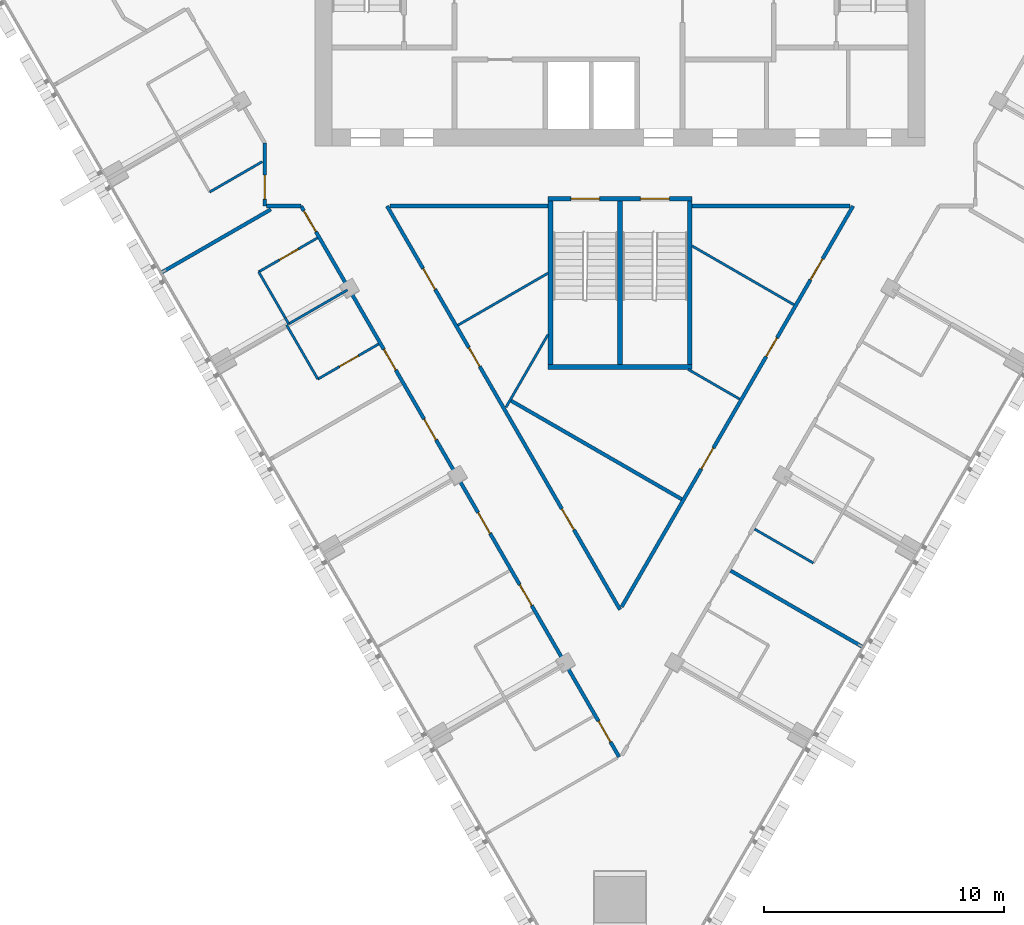
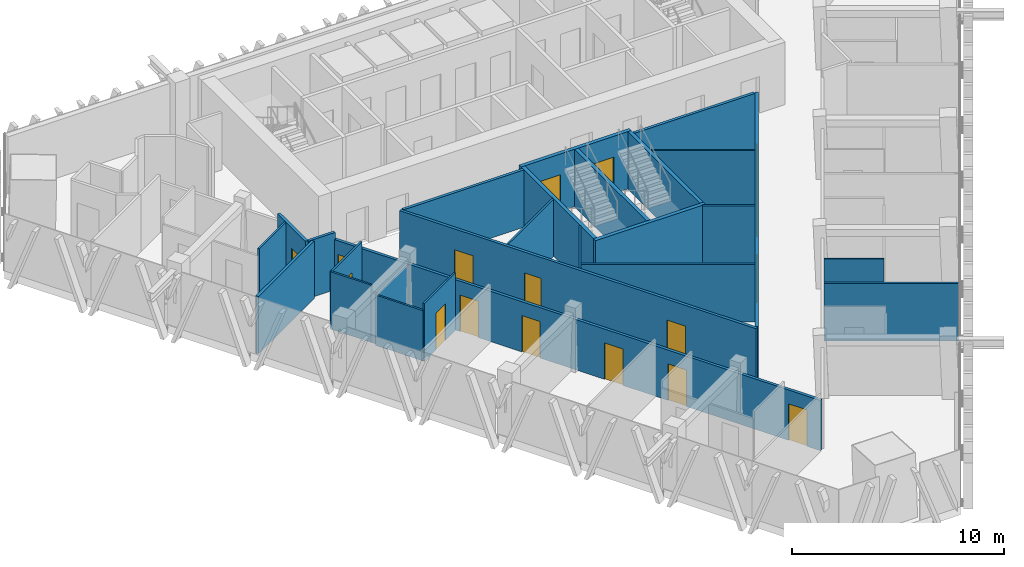
# One storey, part 8 of 15: 27 walls, 17 doors, 17 openings.
"""IFC4 building model written with IfcOpenShell, lengths in metres."""

import ifcopenshell
import ifcopenshell.guid

model = None  # the IFC model being written
_history = None  # IfcOwnerHistory: only IFC2X3 demands one
_inside = {}  # id of a spatial element -> (the spatial element, [elements in it])
_under = {}  # id of a project, library or spatial element -> (it, [spatial elements below it])
_declared = {}  # id of a project -> (the project, [libraries it declares])
_typed = {}  # id of a type object -> (the type object, [elements of that type])
_made_of = {}  # id of a material, layer set ... -> (it, [elements and type objects made of it])


def new_model(schema):
    """Start an empty IFC model of exactly this schema.

    Asked for "IFC4X3", IfcOpenShell would pick the latest addendum, in which some entities
    have other attributes; the version numbers below select the first issue.
    IFC2X3 requires an IfcOwnerHistory on every rooted entity: one is made here for all.
    """
    global model, _history
    if schema == "IFC4X3":
        model = ifcopenshell.file(schema_version=(4, 3, 0, 0))
    else:
        model = ifcopenshell.file(schema=schema)
    _inside.clear()
    _under.clear()
    _declared.clear()
    _typed.clear()
    _made_of.clear()
    _history = None
    if model.schema == "IFC2X3":
        org = make("IfcOrganization", Name="unknown")
        user = make(
            "IfcPersonAndOrganization",
            ThePerson=make("IfcPerson", FamilyName="unknown"),
            TheOrganization=org,
        )
        app = make(
            "IfcApplication",
            ApplicationDeveloper=org,
            Version="unknown",
            ApplicationFullName="unknown",
            ApplicationIdentifier="unknown",
        )
        _history = make(
            "IfcOwnerHistory",
            OwningUser=user,
            OwningApplication=app,
            ChangeAction="ADDED",
            CreationDate=0,
        )
    return model


def make(cls, **values):
    """One entity of the class cls with the attributes given. An attribute that is None is left unset."""
    return model.create_entity(
        cls, **{name: value for name, value in values.items() if value is not None}
    )


def rooted(cls, **values):
    """An entity with a GlobalId (a new one), such as an element, a storey or a relation."""
    return make(cls, GlobalId=ifcopenshell.guid.new(), OwnerHistory=_history, **values)


def si_unit(unit_type, name, prefix=None):
    """IfcSIUnit, for example si_unit("LENGTHUNIT", "METRE", prefix="MILLI")."""
    return make("IfcSIUnit", UnitType=unit_type, Prefix=prefix, Name=name)


def assignment(units):
    """IfcUnitAssignment: the units of a project."""
    return None if units is None else make("IfcUnitAssignment", Units=units)


def point(xyz):
    """IfcCartesianPoint."""
    return None if xyz is None else make("IfcCartesianPoint", Coordinates=xyz)


def direction(xyz):
    """IfcDirection."""
    return None if xyz is None else make("IfcDirection", DirectionRatios=xyz)


def frame(location, z_axis=None, x_axis=None):
    """IfcAxis2Placement3D, a coordinate frame: its origin and axes. An axis left out is left unset."""
    return make(
        "IfcAxis2Placement3D",
        Location=point(location),
        Axis=direction(z_axis),
        RefDirection=direction(x_axis),
    )


def frame_2d(location, x_axis=None):
    """IfcAxis2Placement2D, a coordinate frame in the plane: its origin and x axis."""
    return make(
        "IfcAxis2Placement2D", Location=point(location), RefDirection=direction(x_axis)
    )


def origin():
    """The frame at (0, 0, 0) with its axes left unset."""
    return frame((0.0, 0.0, 0.0))


def place(relative_to, where):
    """IfcLocalPlacement: puts the frame where relative to a parent placement (None: the world)."""
    return make(
        "IfcLocalPlacement", PlacementRelTo=relative_to, RelativePlacement=where
    )


def context(
    kind, dimensions, precision=None, world=None, true_north=None, identifier=None
):
    """IfcGeometricRepresentationContext, for example the 3D "Model" context."""
    return make(
        "IfcGeometricRepresentationContext",
        ContextIdentifier=identifier,
        ContextType=kind,
        CoordinateSpaceDimension=dimensions,
        Precision=precision,
        WorldCoordinateSystem=world,
        TrueNorth=true_north,
    )


def subcontext(parent, identifier, kind, view, scale=None):
    """IfcGeometricRepresentationSubContext, for example "Body" below "Model"."""
    return make(
        "IfcGeometricRepresentationSubContext",
        ContextIdentifier=identifier,
        ContextType=kind,
        ParentContext=parent,
        TargetScale=scale,
        TargetView=view,
    )


def project(units=None, contexts=None):
    """IfcProject with its units and contexts."""
    return rooted(
        "IfcProject",
        Name="project",
        RepresentationContexts=contexts,
        UnitsInContext=assignment(units),
    )


def spatial(cls, under=None, at=None, **own):
    """A site, building, storey or space (cls), placed at a placement, below another one or the project."""
    s = rooted(cls, ObjectPlacement=at, **own)
    if under is not None:
        _under.setdefault(under.id(), (under, []))[1].append(s)
    return s


def profile(cls, at=None, kind="AREA", **sizes):
    """A parametric profile (cls). Its sizes go by their IFC names, for example OverallWidth=200.0."""
    return make(cls, ProfileType=kind, Position=at, **sizes)


def rectangle(**sizes):
    """IfcRectangleProfileDef."""
    return profile("IfcRectangleProfileDef", **sizes)


def extrude(swept, where, along, depth):
    """IfcExtrudedAreaSolid: the profile swept, set in the frame where, extruded along a direction by depth."""
    return make(
        "IfcExtrudedAreaSolid",
        SweptArea=swept,
        Position=where,
        ExtrudedDirection=direction(along),
        Depth=depth,
    )


def shape(context_of_items, identifier, shape_type, items):
    """IfcShapeRepresentation: the items that make up one representation, for example the "Body"."""
    return make(
        "IfcShapeRepresentation",
        ContextOfItems=context_of_items,
        RepresentationIdentifier=identifier,
        RepresentationType=shape_type,
        Items=items,
    )


def material(Name=None, Category=None):
    """IfcMaterial."""
    return make("IfcMaterial", Name=Name, Category=Category)


def layer(
    of_material, thickness, ventilated=None, Name=None, Category=None, Priority=None
):
    """IfcMaterialLayer: one layer of a wall or slab, of a material (None: an air gap)."""
    return make(
        "IfcMaterialLayer",
        Material=of_material,
        LayerThickness=thickness,
        IsVentilated=ventilated,
        Name=Name,
        Category=Category,
        Priority=Priority,
    )


def layer_set(layers, Name=None):
    """IfcMaterialLayerSet."""
    return make("IfcMaterialLayerSet", MaterialLayers=layers, LayerSetName=Name)


def made_of(thing, what):
    """Note that an element or type object is made of a material, layer set ...; save() writes the relation."""
    if what is not None:
        _made_of.setdefault(what.id(), (what, []))[1].append(thing)
    return thing


def type_object(cls, material=None, **own):
    """A type object (cls), such as IfcWallType, which elements share."""
    return made_of(rooted(cls, **own), material)


def element(
    cls,
    number,
    at=None,
    inside=None,
    cuts=None,
    type_object=None,
    material=None,
    context=None,
    identifier="Body",
    shape_type=None,
    held_by="IfcProductDefinitionShape",
    body=None,
    shapes=None,
    **own,
):
    """One element of the class cls, such as IfcWall. Its Tag is "e" and its number.

    at: its placement. inside: the storey or other place that contains it. cuts: it is an
    opening in that element (IfcRelVoidsElement). A single representation is given by context,
    identifier, shape_type and body (its items); several are given by shapes. held_by: the class
    of the entity that holds the representations. save() writes the other relations.
    """
    e = rooted(cls, Tag="e%d" % number, ObjectPlacement=at, **own)
    if body is not None:
        shapes = [shape(context, identifier, shape_type, body)]
    if shapes is not None:
        e.Representation = make(held_by, Representations=shapes)
    if inside is not None:
        _inside.setdefault(inside.id(), (inside, []))[1].append(e)
    if cuts is not None:
        rooted(
            "IfcRelVoidsElement", RelatingBuildingElement=cuts, RelatedOpeningElement=e
        )
    if type_object is not None:
        _typed.setdefault(type_object.id(), (type_object, []))[1].append(e)
    return made_of(e, material)


def fill(opening, filler):
    """IfcRelFillsElement: the door or window that sits in an opening."""
    return rooted(
        "IfcRelFillsElement",
        RelatingOpeningElement=opening,
        RelatedBuildingElement=filler,
    )


def aggregate(whole, parts):
    """IfcRelAggregates: a whole, such as a stair, and the parts it consists of."""
    return rooted("IfcRelAggregates", RelatingObject=whole, RelatedObjects=parts)


def save(model, path):
    """Write the relations noted so far, then the file.

    IfcRelAggregates (storeys below a building ...), IfcRelContainedInSpatialStructure (elements
    in a storey), IfcRelDefinesByType, IfcRelAssociatesMaterial and IfcRelDeclares: one each for
    every whole, place, type object, material and project.
    """
    for whole, parts in _under.values():
        aggregate(whole, parts)
    for where, things in _inside.values():
        rooted(
            "IfcRelContainedInSpatialStructure",
            RelatedElements=things,
            RelatingStructure=where,
        )
    for kind, things in _typed.values():
        rooted("IfcRelDefinesByType", RelatedObjects=things, RelatingType=kind)
    for what, things in _made_of.values():
        rooted("IfcRelAssociatesMaterial", RelatedObjects=things, RelatingMaterial=what)
    for by, libraries in _declared.values():
        rooted("IfcRelDeclares", RelatingContext=by, RelatedDefinitions=libraries)
    model.write(path)


model = new_model("IFC4")

# Units and contexts
model_context = context("Model", 3, precision=1e-05, world=origin(), true_north=direction((0.0, 1.0)))
body_context = subcontext(model_context, "Body", "Model", "MODEL_VIEW")
ifc_project = project(units=[si_unit("LENGTHUNIT", "METRE"), si_unit("AREAUNIT", "SQUARE_METRE"), si_unit("VOLUMEUNIT", "CUBIC_METRE"), si_unit("PLANEANGLEUNIT", "RADIAN"), si_unit("MASSUNIT", "GRAM", prefix="KILO")], contexts=[model_context])

# Site, building, storey
site_placement = place(None, origin())
site = spatial("IfcSite", under=ifc_project, at=site_placement, CompositionType="ELEMENT")
building_placement = place(site_placement, origin())
building = spatial("IfcBuilding", under=site, at=building_placement, Name="Altiplano Prism Tower", CompositionType="ELEMENT")
storey_placement = place(building_placement, frame((0.0, 0.0, 185.39990234375)))
storey = spatial("IfcBuildingStorey", under=building, at=storey_placement, Name="L48", CompositionType="ELEMENT", Elevation=185.39990234375)

# Walls
ifc_material_1 = material(Name="Plasterboard on steel stud", Category="steel")
ifc_layer_1 = layer(ifc_material_1, 0.10009765625)
ifc_layer_set_1 = layer_set([ifc_layer_1], Name="Plasterboard on steel stud")
wall_type_1 = type_object("IfcWallType", Name="Partition 100 unit", PredefinedType="PARTITIONING", material=ifc_layer_set_1)
wall_1_placement = place(storey_placement, frame((70.10009765625, 92.0478515625, 0.0), z_axis=(0.0, 0.0, 1.0), x_axis=(-0.866008413041, -0.500029427677, 0.0)))
element("IfcWall", 1, at=wall_1_placement, inside=storey, type_object=wall_type_1, Name="Partition P02 L48 043", PredefinedType="PARTITIONING", context=body_context, shape_type="SweptSolid", body=[
    extrude(rectangle(XDim=2.524169921875, YDim=0.10009765625, at=frame_2d((1.26220703125, 0.0))), origin(), (0.0, 0.0, 1.0), 3.300048828125),
])
wall_2_placement = place(storey_placement, frame((71.20068359375, 85.293212890625, 0.0), z_axis=(0.0, 0.0, 1.0), x_axis=(-0.499816412211, 0.866131372301, 0.0)))
element("IfcWall", 2, at=wall_2_placement, inside=storey, type_object=wall_type_1, Name="Partition P02 L48 045", PredefinedType="PARTITIONING", context=body_context, shape_type="SweptSolid", body=[
    extrude(rectangle(XDim=0.2998046875, YDim=0.10009765625, at=frame_2d((0.14990234375, 0.0))), origin(), (0.0, 0.0, 1.0), 2.900146484375),
])
wall_3_placement = place(storey_placement, frame((71.05078125, 85.552978515625, 0.0), z_axis=(0.0, 0.0, 1.0), x_axis=(-0.50002983664, 0.866008176907, 0.0)))
element("IfcWall", 3, at=wall_3_placement, inside=storey, type_object=wall_type_1, Name="Partition P02 L48 046", PredefinedType="PARTITIONING", context=body_context, shape_type="SweptSolid", body=[
    extrude(rectangle(XDim=2.199951171875, YDim=0.10009765625, at=frame_2d((1.10009765625, 0.0))), origin(), (0.0, 0.0, 1.0), 3.300048828125),
])

# Wall, opening, door
wall_4_placement = place(storey_placement, frame((69.95068359375, 87.458251953125, 0.0), z_axis=(0.0, 0.0, 1.0), x_axis=(0.866048868473, 0.499959355765, 0.0)))
wall_4 = element("IfcWall", 4, at=wall_4_placement, inside=storey, type_object=wall_type_1, Name="Partition P02 L48 047", PredefinedType="PARTITIONING", context=body_context, shape_type="SweptSolid", body=[
    extrude(rectangle(XDim=2.824951171875, YDim=0.10009765625, at=frame_2d((1.41259765625, 0.0))), origin(), (0.0, 0.0, 1.0), 3.300048828125),
])
opening_1_placement = place(wall_4_placement, frame((1.0, 0.0, 0.0)))
opening_1 = element("IfcOpeningElement", 5, at=opening_1_placement, cuts=wall_4, Name="Opening D1698", PredefinedType="OPENING", context=body_context, shape_type="SweptSolid", body=[
    extrude(rectangle(XDim=0.89990234375, YDim=2.10009765625, at=frame_2d((0.449951171875, 1.050048828125))), frame((0.0, 0.060546875, 0.0), z_axis=(0.0, -1.0, 0.0), x_axis=(1.0, 0.0, 0.0)), (0.0, 0.0, 1.0), 0.12109375),
])
ifc_material_2 = material(Name="Timber", Category="wood")
door_type_1 = type_object("IfcDoorType", Name="Ensuite door 900 x 2100", OperationType="NOTDEFINED", PredefinedType="NOTDEFINED", material=ifc_material_2)
door_1_placement = place(opening_1_placement, origin())
door_1 = element("IfcDoor", 6, at=door_1_placement, inside=storey, type_object=door_type_1, Name="Door D1698", OperationType="SINGLE_SWING_LEFT", OverallHeight=2.10009765625, OverallWidth=0.89990234375, PredefinedType="NOTDEFINED", context=body_context, shape_type="SweptSolid", body=[
    extrude(rectangle(XDim=0.89990234375, YDim=2.10009765625, at=frame_2d((0.449951171875, 1.050048828125))), frame((0.0, 0.02490234375, 0.0), z_axis=(0.0, -1.0, 0.0), x_axis=(1.0, 0.0, 0.0)), (0.0, 0.0, 1.0), 0.050048828125),
])
fill(opening_1, door_1)

wall_5_placement = place(storey_placement, frame((74.947265625, 84.4541015625, 0.0), z_axis=(0.0, 0.0, 1.0), x_axis=(-0.86601045545, -0.500025890382, 0.0)))
wall_5 = element("IfcWall", 7, at=wall_5_placement, inside=storey, type_object=wall_type_1, Name="Partition P02 L48 050", PredefinedType="PARTITIONING", context=body_context, shape_type="SweptSolid", body=[
    extrude(rectangle(XDim=2.925048828125, YDim=0.10009765625, at=frame_2d((1.46240234375, 0.0))), origin(), (0.0, 0.0, 1.0), 3.300048828125),
])
opening_2_placement = place(wall_5_placement, frame((0.97509765625, 0.0, 0.0)))
opening_2 = element("IfcOpeningElement", 8, at=opening_2_placement, cuts=wall_5, Name="Opening D1700", PredefinedType="OPENING", context=body_context, shape_type="SweptSolid", body=[
    extrude(rectangle(XDim=0.89990234375, YDim=2.10009765625, at=frame_2d((0.449951171875, 1.050048828125))), frame((0.0, 0.060546875, 0.0), z_axis=(0.0, -1.0, 0.0), x_axis=(1.0, 0.0, 0.0)), (0.0, 0.0, 1.0), 0.12109375),
])
door_2_placement = place(opening_2_placement, origin())
door_2 = element("IfcDoor", 9, at=door_2_placement, inside=storey, type_object=door_type_1, Name="Door D1700", OperationType="SINGLE_SWING_RIGHT", OverallHeight=2.10009765625, OverallWidth=0.89990234375, PredefinedType="NOTDEFINED", context=body_context, shape_type="SweptSolid", body=[
    extrude(rectangle(XDim=0.89990234375, YDim=2.10009765625, at=frame_2d((0.449951171875, 1.050048828125))), frame((0.0, 0.02490234375, 0.0), z_axis=(0.0, -1.0, 0.0), x_axis=(1.0, 0.0, 0.0)), (0.0, 0.0, 1.0), 0.050048828125),
])
fill(opening_2, door_2)

# Walls
wall_6_placement = place(storey_placement, frame((72.4140625, 82.991455078125, 0.0), z_axis=(0.0, 0.0, 1.0), x_axis=(-0.500006934395, 0.866021400173, 0.0)))
element("IfcWall", 10, at=wall_6_placement, inside=storey, type_object=wall_type_1, Name="Partition P02 L48 051", PredefinedType="PARTITIONING", context=body_context, shape_type="SweptSolid", body=[
    extrude(rectangle(XDim=2.60009765625, YDim=0.10009765625, at=frame_2d((1.300048828125, 0.0))), origin(), (0.0, 0.0, 1.0), 2.900146484375),
])
wall_7_placement = place(storey_placement, frame((93.04931640625, 75.333740234375, 0.0), z_axis=(0.0, 0.0, 1.0), x_axis=(-0.866011447264, 0.500024172624, 0.0)))
element("IfcWall", 11, at=wall_7_placement, inside=storey, type_object=wall_type_1, Name="Partition P02 L48 065", PredefinedType="PARTITIONING", context=body_context, shape_type="SweptSolid", body=[
    extrude(rectangle(XDim=2.824951171875, YDim=0.10009765625, at=frame_2d((1.41259765625, 0.0))), origin(), (0.0, 0.0, 1.0), 3.300048828125),
])
ifc_layer_2 = layer(ifc_material_1, 0.10009765625)
ifc_layer_set_2 = layer_set([ifc_layer_2], Name="Plasterboard on steel stud")
wall_type_2 = type_object("IfcWallType", Name="Partition 100 wet", PredefinedType="PARTITIONING", material=ifc_layer_set_2)
wall_8_placement = place(storey_placement, frame((82.0, 87.404052734375, 0.0), z_axis=(0.0, 0.0, 1.0), x_axis=(-0.866022320763, -0.500005339912, 0.0)))
element("IfcWall", 12, at=wall_8_placement, inside=storey, type_object=wall_type_2, Name="Partition P03 L48 033", PredefinedType="PARTITIONING", context=body_context, shape_type="SweptSolid", body=[
    extrude(rectangle(XDim=4.3330078125, YDim=0.10009765625, at=frame_2d((2.16650390625, 0.0))), origin(), (0.0, 0.0, 1.0), 3.300048828125),
])
wall_9_placement = place(storey_placement, frame((80.250244140625, 81.819091796875, 0.0), z_axis=(0.0, 0.0, 1.0), x_axis=(0.499988162555, 0.866032238029, 0.0)))
element("IfcWall", 13, at=wall_9_placement, inside=storey, type_object=wall_type_2, Name="Partition P03 L48 034", PredefinedType="PARTITIONING", context=body_context, shape_type="SweptSolid", body=[
    extrude(rectangle(XDim=3.49951171875, YDim=0.10009765625, at=frame_2d((1.749755859375, 0.0))), origin(), (0.0, 0.0, 1.0), 3.300048828125),
])
wall_10_placement = place(storey_placement, frame((92.24365234375, 86.088623046875, 0.0), z_axis=(0.0, 0.0, 1.0), x_axis=(-0.866036242063, 0.49998122708, 0.0)))
element("IfcWall", 14, at=wall_10_placement, inside=storey, type_object=wall_type_2, Name="Partition P03 L48 035", PredefinedType="PARTITIONING", context=body_context, shape_type="SweptSolid", body=[
    extrude(rectangle(XDim=4.900146484375, YDim=0.10009765625, at=frame_2d((2.4501953125, 0.0))), origin(), (0.0, 0.0, 1.0), 3.300048828125),
])
wall_11_placement = place(storey_placement, frame((87.832275390625, 83.39990234375, 0.0), z_axis=(0.0, 0.0, 1.0), x_axis=(0.866019742871, -0.500009804862, 0.0)))
element("IfcWall", 15, at=wall_11_placement, inside=storey, type_object=wall_type_2, Name="Partition P03 L48 036", PredefinedType="PARTITIONING", context=body_context, shape_type="SweptSolid", body=[
    extrude(rectangle(XDim=2.47607421875, YDim=0.10009765625, at=frame_2d((1.238037109375, 0.0))), origin(), (0.0, 0.0, 1.0), 3.300048828125),
])
wall_12_placement = place(storey_placement, frame((71.183349609375, 85.283203125, 0.0), z_axis=(0.0, 0.0, 1.0), x_axis=(0.866048401274, 0.499960165064, 0.0)))
element("IfcWall", 16, at=wall_12_placement, inside=storey, type_object=wall_type_2, Name="Partition P03 L48 049", PredefinedType="PARTITIONING", context=body_context, shape_type="SweptSolid", body=[
    extrude(rectangle(XDim=2.844970703125, YDim=0.10009765625, at=frame_2d((1.42236328125, 0.0))), origin(), (0.0, 0.0, 1.0), 2.900146484375),
])
ifc_layer_3 = layer(ifc_material_1, 0.14990234375)
ifc_layer_set_3 = layer_set([ifc_layer_3], Name="Plasterboard on steel stud")
wall_type_3 = type_object("IfcWallType", Name="Partition 150 corridor", PredefinedType="PARTITIONING", material=ifc_layer_set_3)
wall_13_placement = place(storey_placement, frame((88.0, 90.199951171875, 0.0), z_axis=(0.0, 0.0, 1.0), x_axis=(1.0, 0.0, 0.0)))
element("IfcWall", 17, at=wall_13_placement, inside=storey, type_object=wall_type_3, Name="Partition P06 L48 001", PredefinedType="PARTITIONING", context=body_context, shape_type="SweptSolid", body=[
    extrude(rectangle(XDim=6.57421875, YDim=0.14990234375, at=frame_2d((3.287109375, 0.0))), origin(), (0.0, 0.0, 1.0), 3.300048828125),
])

# Wall, openings, doors
wall_14_placement = place(storey_placement, frame((85.0, 73.39208984375, 0.0), z_axis=(0.0, 0.0, 1.0), x_axis=(-0.500003025806, 0.866023656828, 0.0)))
wall_14 = element("IfcWall", 18, at=wall_14_placement, inside=storey, type_object=wall_type_3, Name="Partition P06 L48 002", PredefinedType="PARTITIONING", context=body_context, shape_type="SweptSolid", body=[
    extrude(rectangle(XDim=19.408203125, YDim=0.14990234375, at=frame_2d((9.7041015625, 0.0))), origin(), (0.0, 0.0, 1.0), 3.300048828125),
])
opening_3_placement = place(wall_14_placement, frame((11.693115234375, 0.0, 0.0)))
opening_3 = element("IfcOpeningElement", 19, at=opening_3_placement, cuts=wall_14, Name="Opening D1687", PredefinedType="OPENING", context=body_context, shape_type="SweptSolid", body=[
    extrude(rectangle(XDim=0.89990234375, YDim=2.10009765625, at=frame_2d((0.449951171875, 1.050048828125))), frame((0.0, 0.08544921875, 0.0), z_axis=(0.0, -1.0, 0.0), x_axis=(1.0, 0.0, 0.0)), (0.0, 0.0, 1.0), 0.1708984375),
])
opening_4_placement = place(wall_14_placement, frame((15.402099609375, 0.0, 0.0)))
opening_4 = element("IfcOpeningElement", 20, at=opening_4_placement, cuts=wall_14, Name="Opening D1690", PredefinedType="OPENING", context=body_context, shape_type="SweptSolid", body=[
    extrude(rectangle(XDim=1.0, YDim=2.10009765625, at=frame_2d((0.5, 1.050048828125))), frame((0.0, 0.08544921875, 0.0), z_axis=(0.0, -1.0, 0.0), x_axis=(1.0, 0.0, 0.0)), (0.0, 0.0, 1.0), 0.1708984375),
])
opening_5_placement = place(wall_14_placement, frame((3.844970703125, 0.0, 0.0)))
opening_5 = element("IfcOpeningElement", 21, at=opening_5_placement, cuts=wall_14, Name="Opening D1691", PredefinedType="OPENING", context=body_context, shape_type="SweptSolid", body=[
    extrude(rectangle(XDim=1.0, YDim=2.10009765625, at=frame_2d((0.5, 1.050048828125))), frame((0.0, 0.08544921875, 0.0), z_axis=(0.0, -1.0, 0.0), x_axis=(1.0, 0.0, 0.0)), (0.0, 0.0, 1.0), 0.1708984375),
])
door_type_2 = type_object("IfcDoorType", Name="Store door 1000 x 2100", OperationType="NOTDEFINED", PredefinedType="NOTDEFINED", material=ifc_material_2)
door_3_placement = place(opening_4_placement, origin())
door_3 = element("IfcDoor", 22, at=door_3_placement, inside=storey, type_object=door_type_2, Name="Door D1690", OperationType="SINGLE_SWING_RIGHT", OverallHeight=2.10009765625, OverallWidth=1.0, PredefinedType="NOTDEFINED", context=body_context, shape_type="SweptSolid", body=[
    extrude(rectangle(XDim=1.0, YDim=2.10009765625, at=frame_2d((0.5, 1.050048828125))), frame((0.0, 0.02490234375, 0.0), z_axis=(0.0, -1.0, 0.0), x_axis=(1.0, 0.0, 0.0)), (0.0, 0.0, 1.0), 0.050048828125),
])
fill(opening_4, door_3)
door_4_placement = place(opening_5_placement, origin())
door_4 = element("IfcDoor", 23, at=door_4_placement, inside=storey, type_object=door_type_2, Name="Door D1691", OperationType="SINGLE_SWING_LEFT", OverallHeight=2.10009765625, OverallWidth=1.0, PredefinedType="NOTDEFINED", context=body_context, shape_type="SweptSolid", body=[
    extrude(rectangle(XDim=1.0, YDim=2.10009765625, at=frame_2d((0.5, 1.050048828125))), frame((0.0, 0.02490234375, 0.0), z_axis=(0.0, -1.0, 0.0), x_axis=(1.0, 0.0, 0.0)), (0.0, 0.0, 1.0), 0.050048828125),
])
fill(opening_5, door_4)
door_type_3 = type_object("IfcDoorType", Name="Toilet door 900 x 2100", OperationType="NOTDEFINED", PredefinedType="NOTDEFINED", material=ifc_material_2)
door_5_placement = place(opening_3_placement, origin())
door_5 = element("IfcDoor", 24, at=door_5_placement, inside=storey, type_object=door_type_3, Name="Door D1687", OperationType="SINGLE_SWING_LEFT", OverallHeight=2.10009765625, OverallWidth=0.89990234375, PredefinedType="NOTDEFINED", context=body_context, shape_type="SweptSolid", body=[
    extrude(rectangle(XDim=0.89990234375, YDim=2.10009765625, at=frame_2d((0.449951171875, 1.050048828125))), frame((0.0, 0.02490234375, 0.0), z_axis=(0.0, -1.0, 0.0), x_axis=(1.0, 0.0, 0.0)), (0.0, 0.0, 1.0), 0.050048828125),
])
fill(opening_3, door_5)

# Wall
wall_15_placement = place(storey_placement, frame((75.42578125, 90.199951171875, 0.0), z_axis=(0.0, 0.0, 1.0), x_axis=(1.0, 0.0, 0.0)))
element("IfcWall", 25, at=wall_15_placement, inside=storey, type_object=wall_type_3, Name="Partition P06 L48 003", PredefinedType="PARTITIONING", context=body_context, shape_type="SweptSolid", body=[
    extrude(rectangle(XDim=6.57421875, YDim=0.14990234375, at=frame_2d((3.287109375, 0.0))), origin(), (0.0, 0.0, 1.0), 3.300048828125),
])

# Wall, openings, doors
wall_16_placement = place(storey_placement, frame((94.7041015625, 90.199951171875, 0.0), z_axis=(0.0, 0.0, 1.0), x_axis=(-0.500004551397, -0.866022776018, 0.0)))
wall_16 = element("IfcWall", 26, at=wall_16_placement, inside=storey, type_object=wall_type_3, Name="Partition P06 L48 004", PredefinedType="PARTITIONING", context=body_context, shape_type="SweptSolid", body=[
    extrude(rectangle(XDim=19.278076171875, YDim=0.14990234375, at=frame_2d((9.63916015625, 0.0))), origin(), (0.0, 0.0, 1.0), 3.300048828125),
])
opening_6_placement = place(wall_16_placement, frame((6.339111328125, 0.0, 0.0)))
opening_6 = element("IfcOpeningElement", 27, at=opening_6_placement, cuts=wall_16, Name="Opening D1688", PredefinedType="OPENING", context=body_context, shape_type="SweptSolid", body=[
    extrude(rectangle(XDim=0.89990234375, YDim=2.10009765625, at=frame_2d((0.449951171875, 1.050048828125))), frame((0.0, 0.08544921875, 0.0), z_axis=(0.0, -1.0, 0.0), x_axis=(1.0, 0.0, 0.0)), (0.0, 0.0, 1.0), 0.1708984375),
])
opening_7_placement = place(wall_16_placement, frame((2.541015625, 0.0, 0.0)))
opening_7 = element("IfcOpeningElement", 28, at=opening_7_placement, cuts=wall_16, Name="Opening D1689", PredefinedType="OPENING", context=body_context, shape_type="SweptSolid", body=[
    extrude(rectangle(XDim=1.0, YDim=2.10009765625, at=frame_2d((0.5, 1.050048828125))), frame((0.0, 0.08544921875, 0.0), z_axis=(0.0, -1.0, 0.0), x_axis=(1.0, 0.0, 0.0)), (0.0, 0.0, 1.0), 0.1708984375),
])
opening_8_placement = place(wall_16_placement, frame((11.639892578125, 0.0, 0.0)))
opening_8 = element("IfcOpeningElement", 29, at=opening_8_placement, cuts=wall_16, Name="Opening D1692", PredefinedType="OPENING", context=body_context, shape_type="SweptSolid", body=[
    extrude(rectangle(XDim=1.0, YDim=2.10009765625, at=frame_2d((0.5, 1.050048828125))), frame((0.0, 0.08544921875, 0.0), z_axis=(0.0, -1.0, 0.0), x_axis=(1.0, 0.0, 0.0)), (0.0, 0.0, 1.0), 0.1708984375),
])
door_6_placement = place(opening_7_placement, origin())
door_6 = element("IfcDoor", 30, at=door_6_placement, inside=storey, type_object=door_type_2, Name="Door D1689", OperationType="SINGLE_SWING_RIGHT", OverallHeight=2.10009765625, OverallWidth=1.0, PredefinedType="NOTDEFINED", context=body_context, shape_type="SweptSolid", body=[
    extrude(rectangle(XDim=1.0, YDim=2.10009765625, at=frame_2d((0.5, 1.050048828125))), frame((0.0, 0.02490234375, 0.0), z_axis=(0.0, -1.0, 0.0), x_axis=(1.0, 0.0, 0.0)), (0.0, 0.0, 1.0), 0.050048828125),
])
fill(opening_7, door_6)
door_7_placement = place(opening_8_placement, origin())
door_7 = element("IfcDoor", 31, at=door_7_placement, inside=storey, type_object=door_type_2, Name="Door D1692", OperationType="SINGLE_SWING_RIGHT", OverallHeight=2.10009765625, OverallWidth=1.0, PredefinedType="NOTDEFINED", context=body_context, shape_type="SweptSolid", body=[
    extrude(rectangle(XDim=1.0, YDim=2.10009765625, at=frame_2d((0.5, 1.050048828125))), frame((0.0, 0.02490234375, 0.0), z_axis=(0.0, -1.0, 0.0), x_axis=(1.0, 0.0, 0.0)), (0.0, 0.0, 1.0), 0.050048828125),
])
fill(opening_8, door_7)
door_8_placement = place(opening_6_placement, origin())
door_8 = element("IfcDoor", 32, at=door_8_placement, inside=storey, type_object=door_type_3, Name="Door D1688", OperationType="SINGLE_SWING_LEFT", OverallHeight=2.10009765625, OverallWidth=0.89990234375, PredefinedType="NOTDEFINED", context=body_context, shape_type="SweptSolid", body=[
    extrude(rectangle(XDim=0.89990234375, YDim=2.10009765625, at=frame_2d((0.449951171875, 1.050048828125))), frame((0.0, 0.02490234375, 0.0), z_axis=(0.0, -1.0, 0.0), x_axis=(1.0, 0.0, 0.0)), (0.0, 0.0, 1.0), 0.050048828125),
])
fill(opening_6, door_8)

# Wall, opening, door
wall_17_placement = place(storey_placement, frame((70.199951171875, 92.826416015625, 0.0), z_axis=(0.0, 0.0, 1.0), x_axis=(0.0, -1.0, 0.0)))
wall_17 = element("IfcWall", 33, at=wall_17_placement, inside=storey, type_object=wall_type_3, Name="Partition P06 L48 007", PredefinedType="PARTITIONING", context=body_context, shape_type="SweptSolid", body=[
    extrude(rectangle(XDim=2.62646484375, YDim=0.14990234375, at=frame_2d((1.313232421875, 0.0))), origin(), (0.0, 0.0, 1.0), 3.300048828125),
])
opening_9_placement = place(wall_17_placement, frame((1.342041015625, 0.0, 0.0)))
opening_9 = element("IfcOpeningElement", 34, at=opening_9_placement, cuts=wall_17, Name="Opening D1695", PredefinedType="OPENING", context=body_context, shape_type="SweptSolid", body=[
    extrude(rectangle(XDim=1.0, YDim=2.10009765625, at=frame_2d((0.5, 1.050048828125))), frame((0.0, 0.08544921875, 0.0), z_axis=(0.0, -1.0, 0.0), x_axis=(1.0, 0.0, 0.0)), (0.0, 0.0, 1.0), 0.1708984375),
])
door_type_4 = type_object("IfcDoorType", Name="Bedroom entrance door 1000 x 2100", OperationType="NOTDEFINED", PredefinedType="NOTDEFINED", material=ifc_material_2)
door_9_placement = place(opening_9_placement, origin())
door_9 = element("IfcDoor", 35, at=door_9_placement, inside=storey, type_object=door_type_4, Name="Door D1695", OperationType="SINGLE_SWING_RIGHT", OverallHeight=2.10009765625, OverallWidth=1.0, PredefinedType="NOTDEFINED", context=body_context, shape_type="SweptSolid", body=[
    extrude(rectangle(XDim=1.0, YDim=2.10009765625, at=frame_2d((0.5, 1.050048828125))), frame((0.0, 0.02490234375, 0.0), z_axis=(0.0, -1.0, 0.0), x_axis=(1.0, 0.0, 0.0)), (0.0, 0.0, 1.0), 0.050048828125),
])
fill(opening_9, door_9)

# Wall
wall_18_placement = place(storey_placement, frame((70.27490234375, 90.199951171875, 0.0), z_axis=(0.0, 0.0, 1.0), x_axis=(1.0, 0.0, 0.0)))
element("IfcWall", 36, at=wall_18_placement, inside=storey, type_object=wall_type_3, Name="Partition P06 L48 008", PredefinedType="PARTITIONING", context=body_context, shape_type="SweptSolid", body=[
    extrude(rectangle(XDim=1.44140625, YDim=0.14990234375, at=frame_2d((0.720703125, 0.0))), origin(), (0.0, 0.0, 1.0), 3.300048828125),
])

# Wall, openings, doors
wall_19_placement = place(storey_placement, frame((71.71630859375, 90.199951171875, 0.0), z_axis=(0.0, 0.0, 1.0), x_axis=(0.500001662319, -0.866024444042, 0.0)))
wall_19 = element("IfcWall", 37, at=wall_19_placement, inside=storey, type_object=wall_type_3, Name="Partition P06 L48 009", PredefinedType="PARTITIONING", context=body_context, shape_type="SweptSolid", body=[
    extrude(rectangle(XDim=26.49169921875, YDim=0.14990234375, at=frame_2d((13.245849609375, 0.0))), origin(), (0.0, 0.0, 1.0), 2.900146484375),
])
opening_10_placement = place(wall_19_placement, frame((0.22998046875, 0.0, 0.0)))
opening_10 = element("IfcOpeningElement", 38, at=opening_10_placement, cuts=wall_19, Name="Opening D1697", PredefinedType="OPENING", context=body_context, shape_type="SweptSolid", body=[
    extrude(rectangle(XDim=1.0, YDim=2.10009765625, at=frame_2d((0.5, 1.050048828125))), frame((0.0, 0.08544921875, 0.0), z_axis=(0.0, -1.0, 0.0), x_axis=(1.0, 0.0, 0.0)), (0.0, 0.0, 1.0), 0.1708984375),
])
opening_11_placement = place(wall_19_placement, frame((6.886962890625, 0.0, 0.0)))
opening_11 = element("IfcOpeningElement", 39, at=opening_11_placement, cuts=wall_19, Name="Opening D1699", PredefinedType="OPENING", context=body_context, shape_type="SweptSolid", body=[
    extrude(rectangle(XDim=1.0, YDim=2.10009765625, at=frame_2d((0.5, 1.050048828125))), frame((0.0, 0.08544921875, 0.0), z_axis=(0.0, -1.0, 0.0), x_axis=(1.0, 0.0, 0.0)), (0.0, 0.0, 1.0), 0.1708984375),
])
opening_12_placement = place(wall_19_placement, frame((10.241943359375, 0.0, 0.0)))
opening_12 = element("IfcOpeningElement", 40, at=opening_12_placement, cuts=wall_19, Name="Opening D1701", PredefinedType="OPENING", context=body_context, shape_type="SweptSolid", body=[
    extrude(rectangle(XDim=1.0, YDim=2.10009765625, at=frame_2d((0.5, 1.050048828125))), frame((0.0, 0.08544921875, 0.0), z_axis=(0.0, -1.0, 0.0), x_axis=(1.0, 0.0, 0.0)), (0.0, 0.0, 1.0), 0.1708984375),
])
opening_13_placement = place(wall_19_placement, frame((14.741943359375, 0.0, 0.0)))
opening_13 = element("IfcOpeningElement", 41, at=opening_13_placement, cuts=wall_19, Name="Opening D1702", PredefinedType="OPENING", context=body_context, shape_type="SweptSolid", body=[
    extrude(rectangle(XDim=1.0, YDim=2.10009765625, at=frame_2d((0.5, 1.050048828125))), frame((0.0, 0.08544921875, 0.0), z_axis=(0.0, -1.0, 0.0), x_axis=(1.0, 0.0, 0.0)), (0.0, 0.0, 1.0), 0.1708984375),
])
opening_14_placement = place(wall_19_placement, frame((18.2119140625, 0.0, 0.0)))
opening_14 = element("IfcOpeningElement", 42, at=opening_14_placement, cuts=wall_19, Name="Opening D1703", PredefinedType="OPENING", context=body_context, shape_type="SweptSolid", body=[
    extrude(rectangle(XDim=1.0, YDim=2.10009765625, at=frame_2d((0.5, 1.050048828125))), frame((0.0, 0.08544921875, 0.0), z_axis=(0.0, -1.0, 0.0), x_axis=(1.0, 0.0, 0.0)), (0.0, 0.0, 1.0), 0.1708984375),
])
opening_15_placement = place(wall_19_placement, frame((24.77099609375, 0.0, 0.0)))
opening_15 = element("IfcOpeningElement", 43, at=opening_15_placement, cuts=wall_19, Name="Opening D1705", PredefinedType="OPENING", context=body_context, shape_type="SweptSolid", body=[
    extrude(rectangle(XDim=1.0, YDim=2.10009765625, at=frame_2d((0.5, 1.050048828125))), frame((0.0, 0.08544921875, 0.0), z_axis=(0.0, -1.0, 0.0), x_axis=(1.0, 0.0, 0.0)), (0.0, 0.0, 1.0), 0.1708984375),
])
door_10_placement = place(opening_10_placement, origin())
door_10 = element("IfcDoor", 44, at=door_10_placement, inside=storey, type_object=door_type_4, Name="Door D1697", OperationType="SINGLE_SWING_RIGHT", OverallHeight=2.10009765625, OverallWidth=1.0, PredefinedType="NOTDEFINED", context=body_context, shape_type="SweptSolid", body=[
    extrude(rectangle(XDim=1.0, YDim=2.10009765625, at=frame_2d((0.5, 1.050048828125))), frame((0.0, 0.02490234375, 0.0), z_axis=(0.0, -1.0, 0.0), x_axis=(1.0, 0.0, 0.0)), (0.0, 0.0, 1.0), 0.050048828125),
])
fill(opening_10, door_10)
door_11_placement = place(opening_11_placement, origin())
door_11 = element("IfcDoor", 45, at=door_11_placement, inside=storey, type_object=door_type_4, Name="Door D1699", OperationType="SINGLE_SWING_RIGHT", OverallHeight=2.10009765625, OverallWidth=1.0, PredefinedType="NOTDEFINED", context=body_context, shape_type="SweptSolid", body=[
    extrude(rectangle(XDim=1.0, YDim=2.10009765625, at=frame_2d((0.5, 1.050048828125))), frame((0.0, 0.02490234375, 0.0), z_axis=(0.0, -1.0, 0.0), x_axis=(1.0, 0.0, 0.0)), (0.0, 0.0, 1.0), 0.050048828125),
])
fill(opening_11, door_11)
door_12_placement = place(opening_14_placement, origin())
door_12 = element("IfcDoor", 46, at=door_12_placement, inside=storey, type_object=door_type_4, Name="Door D1703", OperationType="SINGLE_SWING_RIGHT", OverallHeight=2.10009765625, OverallWidth=1.0, PredefinedType="NOTDEFINED", context=body_context, shape_type="SweptSolid", body=[
    extrude(rectangle(XDim=1.0, YDim=2.10009765625, at=frame_2d((0.5, 1.050048828125))), frame((0.0, 0.02490234375, 0.0), z_axis=(0.0, -1.0, 0.0), x_axis=(1.0, 0.0, 0.0)), (0.0, 0.0, 1.0), 0.050048828125),
])
fill(opening_14, door_12)
door_13_placement = place(opening_15_placement, origin())
door_13 = element("IfcDoor", 47, at=door_13_placement, inside=storey, type_object=door_type_4, Name="Door D1705", OperationType="SINGLE_SWING_RIGHT", OverallHeight=2.10009765625, OverallWidth=1.0, PredefinedType="NOTDEFINED", context=body_context, shape_type="SweptSolid", body=[
    extrude(rectangle(XDim=1.0, YDim=2.10009765625, at=frame_2d((0.5, 1.050048828125))), frame((0.0, 0.02490234375, 0.0), z_axis=(0.0, -1.0, 0.0), x_axis=(1.0, 0.0, 0.0)), (0.0, 0.0, 1.0), 0.050048828125),
])
fill(opening_15, door_13)
door_type_5 = type_object("IfcDoorType", Name="Room door 1000 x 2100", OperationType="NOTDEFINED", PredefinedType="NOTDEFINED", material=ifc_material_2)
door_14_placement = place(opening_12_placement, origin())
door_14 = element("IfcDoor", 48, at=door_14_placement, inside=storey, type_object=door_type_5, Name="Door D1701", OperationType="SINGLE_SWING_RIGHT", OverallHeight=2.10009765625, OverallWidth=1.0, PredefinedType="NOTDEFINED", context=body_context, shape_type="SweptSolid", body=[
    extrude(rectangle(XDim=1.0, YDim=2.10009765625, at=frame_2d((0.5, 1.050048828125))), frame((0.0, 0.02490234375, 0.0), z_axis=(0.0, -1.0, 0.0), x_axis=(1.0, 0.0, 0.0)), (0.0, 0.0, 1.0), 0.050048828125),
])
fill(opening_12, door_14)
door_15_placement = place(opening_13_placement, origin())
door_15 = element("IfcDoor", 49, at=door_15_placement, inside=storey, type_object=door_type_5, Name="Door D1702", OperationType="SINGLE_SWING_LEFT", OverallHeight=2.10009765625, OverallWidth=1.0, PredefinedType="NOTDEFINED", context=body_context, shape_type="SweptSolid", body=[
    extrude(rectangle(XDim=1.0, YDim=2.10009765625, at=frame_2d((0.5, 1.050048828125))), frame((0.0, 0.02490234375, 0.0), z_axis=(0.0, -1.0, 0.0), x_axis=(1.0, 0.0, 0.0)), (0.0, 0.0, 1.0), 0.050048828125),
])
fill(opening_13, door_15)

# Walls
ifc_layer_4 = layer(ifc_material_1, 0.14990234375)
ifc_layer_set_4 = layer_set([ifc_layer_4], Name="Plasterboard on steel stud")
wall_type_4 = type_object("IfcWallType", Name="Partition 150 party", PredefinedType="PARTITIONING", material=ifc_layer_set_4)
wall_20_placement = place(storey_placement, frame((87.56787109375, 77.98974609375, 0.0), z_axis=(0.0, 0.0, 1.0), x_axis=(-0.866018040531, 0.500012753312, 0.0)))
element("IfcWall", 50, at=wall_20_placement, inside=storey, type_object=wall_type_4, Name="Partition P01 L48 037", PredefinedType="PARTITIONING", context=body_context, shape_type="SweptSolid", body=[
    extrude(rectangle(XDim=8.201904296875, YDim=0.14990234375, at=frame_2d((4.10107421875, 0.0))), origin(), (0.0, 0.0, 1.0), 3.300048828125),
])
wall_21_placement = place(storey_placement, frame((65.902099609375, 87.43017578125, 0.0), z_axis=(0.0, 0.0, 1.0), x_axis=(0.86602945008, 0.499992991546, 0.0)))
element("IfcWall", 51, at=wall_21_placement, inside=storey, type_object=wall_type_4, Name="Partition P01 L48 044", PredefinedType="PARTITIONING", context=body_context, shape_type="SweptSolid", body=[
    extrude(rectangle(XDim=5.259765625, YDim=0.14990234375, at=frame_2d((2.6298828125, 0.0))), origin(), (0.0, 0.0, 1.0), 3.300048828125),
])
wall_22_placement = place(storey_placement, frame((95.097900390625, 71.841796875, 0.0), z_axis=(0.0, 0.0, 1.0), x_axis=(-0.866025401434, 0.500000004071, 0.0)))
element("IfcWall", 52, at=wall_22_placement, inside=storey, type_object=wall_type_4, Name="Partition P01 L48 064", PredefinedType="PARTITIONING", context=body_context, shape_type="SweptSolid", body=[
    extrude(rectangle(XDim=6.34521484375, YDim=0.14990234375, at=frame_2d((3.172607421875, 0.0))), origin(), (0.0, 0.0, 1.0), 3.300048828125),
])

# Wall, openings, doors
ifc_material_3 = material(Name="Concrete C60/75", Category="concrete")
ifc_layer_5 = layer(ifc_material_3, 0.199951171875)
ifc_layer_set_5 = layer_set([ifc_layer_5], Name="Concrete C60/75")
wall_type_5 = type_object("IfcWallType", Name="Stair wall 200", PredefinedType="SOLIDWALL", material=ifc_layer_set_5)
wall_23_placement = place(storey_placement, frame((82.0, 90.5, 0.0), z_axis=(0.0, 0.0, 1.0), x_axis=(1.0, 0.0, 0.0)))
wall_23 = element("IfcWall", 53, at=wall_23_placement, inside=storey, type_object=wall_type_5, Name="Stair 3 wall north L48", PredefinedType="SOLIDWALL", context=body_context, shape_type="SweptSolid", body=[
    extrude(rectangle(XDim=6.0, YDim=0.199951171875, at=frame_2d((3.0, 0.0))), origin(), (0.0, 0.0, 1.0), 3.300048828125),
])
opening_16_placement = place(wall_23_placement, frame((0.949951171875, 0.0, 0.0)))
opening_16 = element("IfcOpeningElement", 54, at=opening_16_placement, cuts=wall_23, Name="Opening D4018", PredefinedType="OPENING", context=body_context, shape_type="SweptSolid", body=[
    extrude(rectangle(XDim=1.199951171875, YDim=2.10009765625, at=frame_2d((0.60009765625, 1.050048828125))), frame((0.0, 0.1103515625, 0.0), z_axis=(0.0, -1.0, 0.0), x_axis=(1.0, 0.0, 0.0)), (0.0, 0.0, 1.0), 0.220947265625),
])
opening_17_placement = place(wall_23_placement, frame((3.85009765625, 0.0, 0.0)))
opening_17 = element("IfcOpeningElement", 55, at=opening_17_placement, cuts=wall_23, Name="Opening D4019", PredefinedType="OPENING", context=body_context, shape_type="SweptSolid", body=[
    extrude(rectangle(XDim=1.199951171875, YDim=2.10009765625, at=frame_2d((0.60009765625, 1.050048828125))), frame((0.0, 0.1103515625, 0.0), z_axis=(0.0, -1.0, 0.0), x_axis=(1.0, 0.0, 0.0)), (0.0, 0.0, 1.0), 0.220947265625),
])
ifc_material_4 = material(Name="Fire-rated steel door", Category="steel")
door_type_6 = type_object("IfcDoorType", Name="Stair fire door 1200 x 2100", OperationType="NOTDEFINED", PredefinedType="NOTDEFINED", material=ifc_material_4)
door_16_placement = place(opening_16_placement, origin())
door_16 = element("IfcDoor", 56, at=door_16_placement, inside=storey, type_object=door_type_6, Name="Stair fire door D4018", OperationType="SINGLE_SWING_LEFT", OverallHeight=2.10009765625, OverallWidth=1.199951171875, PredefinedType="NOTDEFINED", context=body_context, shape_type="SweptSolid", body=[
    extrude(rectangle(XDim=1.199951171875, YDim=2.10009765625, at=frame_2d((0.60009765625, 1.050048828125))), frame((0.0, 0.02490234375, 0.0), z_axis=(0.0, -1.0, 0.0), x_axis=(1.0, 0.0, 0.0)), (0.0, 0.0, 1.0), 0.050048828125),
])
fill(opening_16, door_16)
door_17_placement = place(opening_17_placement, origin())
door_17 = element("IfcDoor", 57, at=door_17_placement, inside=storey, type_object=door_type_6, Name="Stair fire door D4019", OperationType="SINGLE_SWING_LEFT", OverallHeight=2.10009765625, OverallWidth=1.199951171875, PredefinedType="NOTDEFINED", context=body_context, shape_type="SweptSolid", body=[
    extrude(rectangle(XDim=1.199951171875, YDim=2.10009765625, at=frame_2d((0.60009765625, 1.050048828125))), frame((0.0, 0.02490234375, 0.0), z_axis=(0.0, -1.0, 0.0), x_axis=(1.0, 0.0, 0.0)), (0.0, 0.0, 1.0), 0.050048828125),
])
fill(opening_17, door_17)

# Walls
wall_24_placement = place(storey_placement, frame((82.0, 83.5, 0.0), z_axis=(0.0, 0.0, 1.0), x_axis=(1.0, 0.0, 0.0)))
element("IfcWall", 58, at=wall_24_placement, inside=storey, type_object=wall_type_5, Name="Stair 3 wall south L48", PredefinedType="SOLIDWALL", context=body_context, shape_type="SweptSolid", body=[
    extrude(rectangle(XDim=6.0, YDim=0.199951171875, at=frame_2d((3.0, 0.0))), origin(), (0.0, 0.0, 1.0), 3.300048828125),
])
for number, where, z_axis, x_axis, name in (
    (59, (82.10009765625, 83.60009765625, 0.0), (0.0, 0.0, 1.0), (0.0, 1.0, 0.0), "Stair 3 wall west L48"),
    (60, (87.89990234375, 83.60009765625, 0.0), (0.0, 0.0, 1.0), (0.0, 1.0, 0.0), "Stair 3 wall east L48"),
    (61, (85.0, 83.60009765625, 0.0), (0.0, 0.0, 1.0), (0.0, 1.0, 0.0), "Stair 3 wall divider L48"),
):
    element("IfcWall", number, at=place(storey_placement, frame(where, z_axis=z_axis, x_axis=x_axis)), inside=storey, type_object=wall_type_5, Name=name, PredefinedType="SOLIDWALL", context=body_context, shape_type="SweptSolid", body=[
        extrude(rectangle(XDim=6.7998046875, YDim=0.199951171875, at=frame_2d((3.39990234375, 0.0))), origin(), (0.0, 0.0, 1.0), 3.300048828125),
    ])

save(model, "model.ifc")
